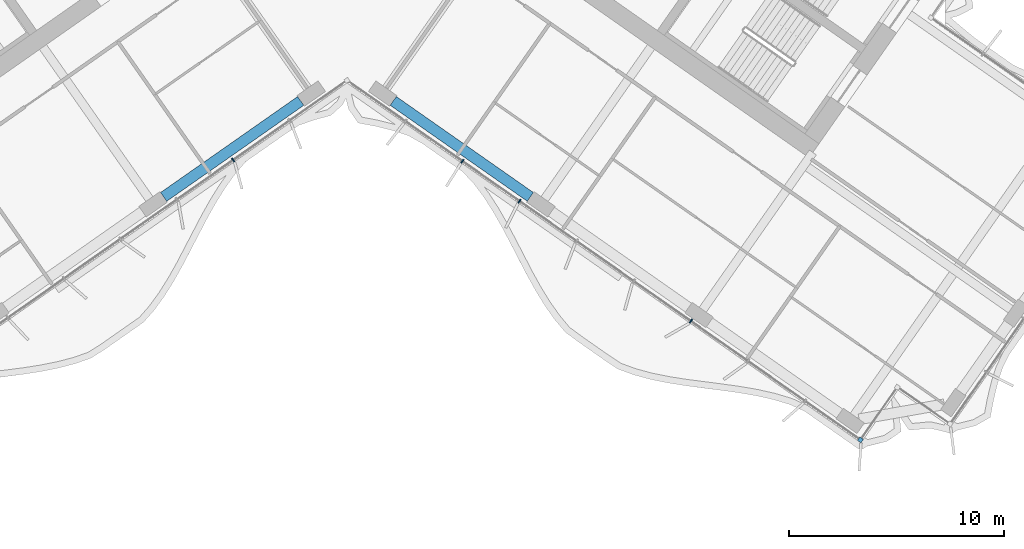
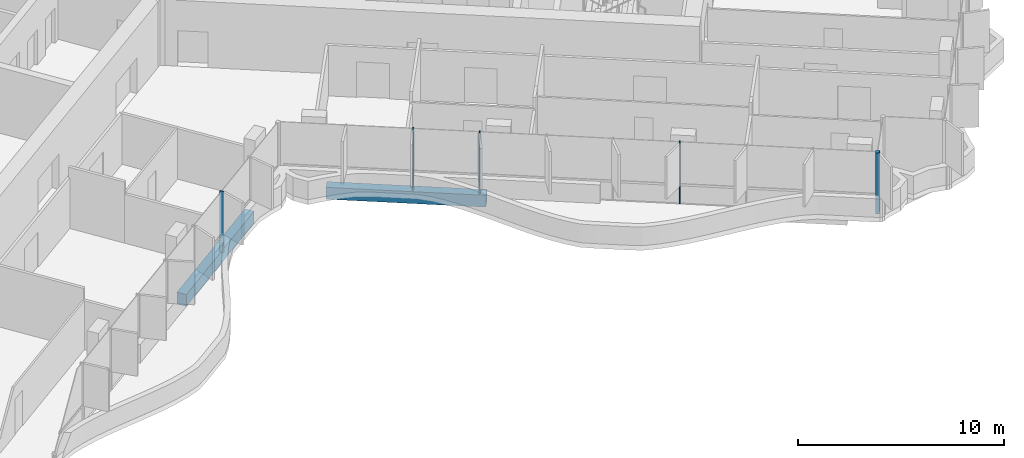
# One storey, part 5 of 23: 5 members, 2 beams, 1 element without a shape of its own.
"""IFC4 building model written with IfcOpenShell, lengths in metres."""

from ifc_helpers import new_model, si_unit, direction, frame, origin, origin_2d, place, context, subcontext, project, spatial, rectangle, extrude, material, material_profile, profile_set, type_object, element, aggregate, save


model = new_model("IFC4")

# Units and contexts
model_context = context("Model", 3, precision=1e-05, world=origin(), true_north=direction((0.0, 1.0)))
body_context = subcontext(model_context, "Body", "Model", "MODEL_VIEW")
ifc_project = project(units=[si_unit("LENGTHUNIT", "METRE"), si_unit("AREAUNIT", "SQUARE_METRE"), si_unit("VOLUMEUNIT", "CUBIC_METRE"), si_unit("PLANEANGLEUNIT", "RADIAN"), si_unit("MASSUNIT", "GRAM", prefix="KILO")], contexts=[model_context])

# Site, building, storey
site_placement = place(None, origin())
site = spatial("IfcSite", under=ifc_project, at=site_placement, CompositionType="ELEMENT")
building_placement = place(site_placement, origin())
building = spatial("IfcBuilding", under=site, at=building_placement, Name="Tel Ilan Convention Tower", CompositionType="ELEMENT")
storey_placement = place(building_placement, frame((0.0, 0.0, 198.300048828125)))
storey = spatial("IfcBuildingStorey", under=building, at=storey_placement, Name="L46", CompositionType="ELEMENT", Elevation=198.300048828125)

# Beams
ifc_material_1 = material(Name="Concrete C40/50", Category="concrete")
ifc_material_profile_1 = material_profile(ifc_material_1, rectangle(XDim=0.5, YDim=0.699951171875, at=origin_2d()), Name="RC 500x700")
ifc_profile_set_1 = profile_set([ifc_material_profile_1], Name="Concrete C40/50")
beam_type = type_object("IfcBeamType", Name="Beam RC 500x700 Concrete C40/50", PredefinedType="BEAM", material=ifc_profile_set_1)
for number, where, z_axis, x_axis, name in (
    (1, (-2.15673828125, -13.656982421875, -0.630126953125), (-0.819153977895, -0.573573674866, 0.0), (0.573573674866, -0.819153977895, 0.0), "L46 beam W-W-F1-W-F2"),
    (2, (2.15673828125, -13.656982421875, -0.630126953125), (0.819153977895, -0.573573674866, 0.0), (0.573573674866, 0.819153977895, 0.0), "L46 beam E-E-F1-E-F2"),
):
    element("IfcBeam", number, at=place(storey_placement, frame(where, z_axis=z_axis, x_axis=x_axis)), inside=storey, type_object=beam_type, Name=name, PredefinedType="BEAM", context=body_context, shape_type="SweptSolid", body=[
        extrude(rectangle(XDim=0.5, YDim=0.699951171875, at=origin_2d()), origin(), (0.0, 0.0, 1.0), 7.800048828125),
    ])

# Curtain wall, members
ifc_material_2 = material(Name="Aluminium, bronze anodised", Category="aluminium")
curtain_wall_type = type_object("IfcCurtainWallType", Name="CW4 STICK CURTAIN WALL, OFFICE TINTED GLASS", PredefinedType="NOTDEFINED", material=ifc_material_2)
curtain_wall_placement = place(storey_placement, origin())
curtain_wall = element("IfcCurtainWall", 3, at=curtain_wall_placement, inside=storey, type_object=curtain_wall_type, Name="Curtain wall CW4-36.02", PredefinedType="NOTDEFINED")
ifc_material_3 = material(Name="Aluminium, bronze anodised", Category="aluminium")
ifc_material_profile_2 = material_profile(ifc_material_3, rectangle(XDim=0.199951171875, YDim=0.199951171875, at=origin_2d()), Name="CW CORNER MULLION 200x200")
ifc_profile_set_2 = profile_set([ifc_material_profile_2], Name="Aluminium, bronze anodised")
member_type_1 = type_object("IfcMemberType", Name="CW CORNER MULLION 200x200", PredefinedType="MULLION", material=ifc_profile_set_2)
member_1_placement = place(storey_placement, frame((23.933837890625, -29.454833984375, 0.0), z_axis=(0.0, 0.0, 1.0), x_axis=(0.819152044289, -0.573576436351, 0.0)))
member_1 = element("IfcMember", 4, at=member_1_placement, type_object=member_type_1, Name="Corner mullion", PredefinedType="MULLION", context=body_context, shape_type="SweptSolid", body=[
    extrude(rectangle(XDim=0.199951171875, YDim=0.199951171875, at=origin_2d()), origin(), (0.0, 0.0, 1.0), 3.619873046875),
])
ifc_material_4 = material(Name="Aluminium, bronze anodised", Category="aluminium")
ifc_material_profile_3 = material_profile(ifc_material_4, rectangle(XDim=0.06005859375, YDim=0.199951171875, at=origin_2d()), Name="CW MULLION 60x200")
ifc_profile_set_3 = profile_set([ifc_material_profile_3], Name="Aluminium, bronze anodised")
member_type_2 = type_object("IfcMemberType", Name="CW MULLION 60x200", PredefinedType="MULLION", material=ifc_profile_set_3)
member_2_placement = place(storey_placement, frame((-5.307861328125, -16.41259765625, 0.0), z_axis=(0.0, 0.0, 1.0), x_axis=(0.819152044289, 0.573576436351, 0.0)))
member_2 = element("IfcMember", 5, at=member_2_placement, type_object=member_type_2, Name="Mullion", PredefinedType="MULLION", context=body_context, shape_type="SweptSolid", body=[
    extrude(rectangle(XDim=0.06005859375, YDim=0.199951171875, at=origin_2d()), origin(), (0.0, 0.0, 1.0), 3.619873046875),
])
member_3_placement = place(storey_placement, frame((5.38134765625, -16.464111328125, 0.0), z_axis=(0.0, 0.0, 1.0), x_axis=(0.819152044289, -0.573576436351, 0.0)))
member_3 = element("IfcMember", 6, at=member_3_placement, type_object=member_type_2, Name="Mullion", PredefinedType="MULLION", context=body_context, shape_type="SweptSolid", body=[
    extrude(rectangle(XDim=0.06005859375, YDim=0.199951171875, at=origin_2d()), origin(), (0.0, 0.0, 1.0), 3.619873046875),
])
member_4_placement = place(storey_placement, frame((8.04345703125, -18.328125, 0.0), z_axis=(0.0, 0.0, 1.0), x_axis=(0.819152044289, -0.573576436351, 0.0)))
member_4 = element("IfcMember", 7, at=member_4_placement, type_object=member_type_2, Name="Mullion", PredefinedType="MULLION", context=body_context, shape_type="SweptSolid", body=[
    extrude(rectangle(XDim=0.06005859375, YDim=0.199951171875, at=origin_2d()), origin(), (0.0, 0.0, 1.0), 3.619873046875),
])
member_5_placement = place(storey_placement, frame((16.029541015625, -23.920166015625, 0.0), z_axis=(0.0, 0.0, 1.0), x_axis=(0.819152044289, -0.573576436351, 0.0)))
member_5 = element("IfcMember", 8, at=member_5_placement, type_object=member_type_2, Name="Mullion", PredefinedType="MULLION", context=body_context, shape_type="SweptSolid", body=[
    extrude(rectangle(XDim=0.06005859375, YDim=0.199951171875, at=origin_2d()), origin(), (0.0, 0.0, 1.0), 3.619873046875),
])
aggregate(curtain_wall, [member_2, member_3, member_4, member_5, member_1])

save(model, "model.ifc")
